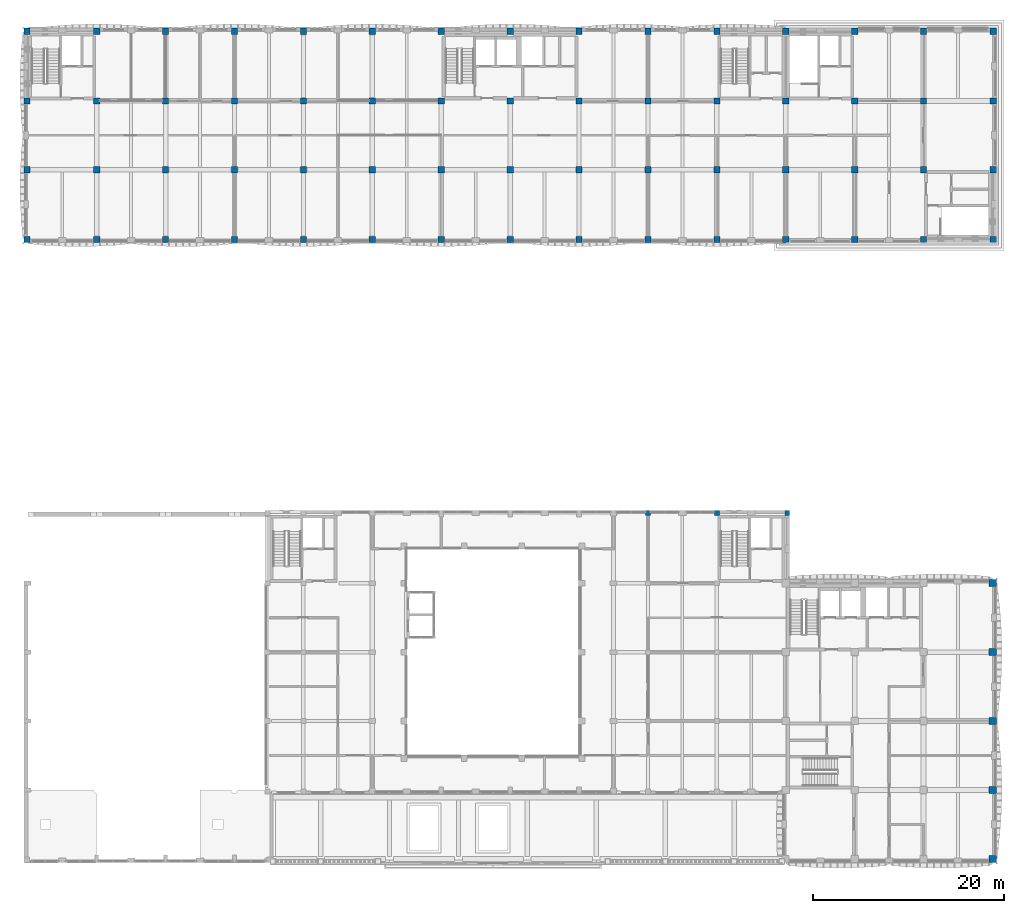
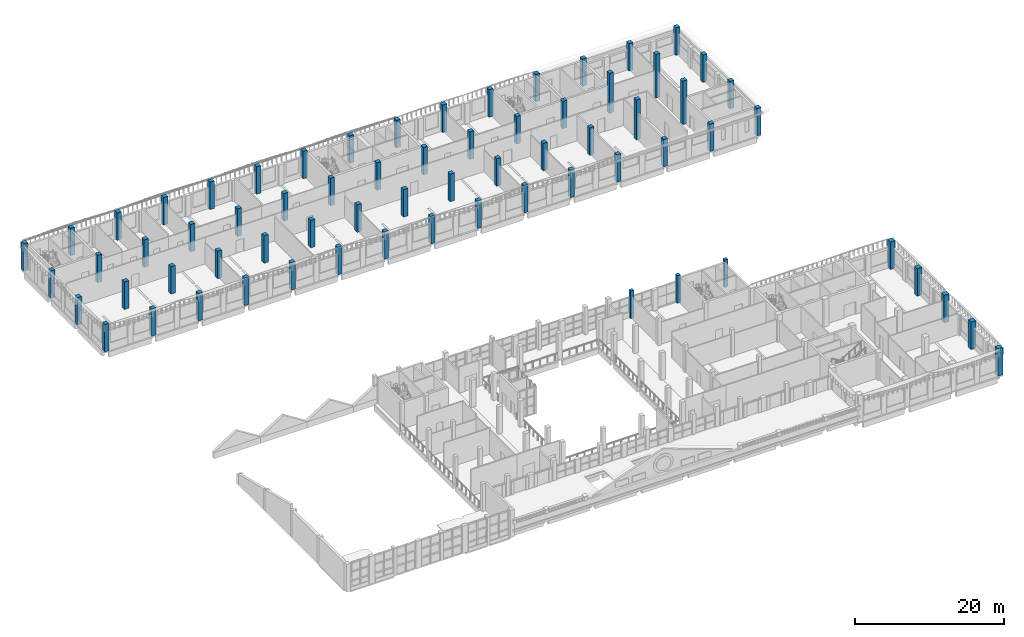
# One storey, part 2 of 58: 68 columns.
"""IFC4 building model written with IfcOpenShell, lengths in metres."""

from ifc_helpers import new_model, si_unit, direction, frame, origin, origin_2d, place, context, subcontext, project, spatial, rectangle, extrude, material, material_profile, profile_set, type_object, element, save


model = new_model("IFC4")

# Units and contexts
model_context = context("Model", 3, precision=1e-05, world=origin(), true_north=direction((0.0, 1.0)))
body_context = subcontext(model_context, "Body", "Model", "MODEL_VIEW")
ifc_project = project(units=[si_unit("LENGTHUNIT", "METRE"), si_unit("AREAUNIT", "SQUARE_METRE"), si_unit("VOLUMEUNIT", "CUBIC_METRE"), si_unit("PLANEANGLEUNIT", "RADIAN"), si_unit("MASSUNIT", "GRAM", prefix="KILO")], contexts=[model_context])

# Site, building, storey
site_placement = place(None, origin())
site = spatial("IfcSite", under=ifc_project, at=site_placement, CompositionType="ELEMENT")
building_placement = place(site_placement, origin())
building = spatial("IfcBuilding", under=site, at=building_placement, Name="Ussher Court Research Institute", CompositionType="ELEMENT")
storey_placement = place(building_placement, frame((0.0, 0.0, 9.89990234375)))
storey = spatial("IfcBuildingStorey", under=building, at=storey_placement, Name="L02", CompositionType="ELEMENT", Elevation=9.89990234375)

# Columns
ifc_material_1 = material(Name="Concrete C35/45", Category="concrete")
ifc_material_profile_1 = material_profile(ifc_material_1, rectangle(XDim=0.5, YDim=0.5, at=origin_2d()), Name="RC 500x500")
ifc_profile_set_1 = profile_set([ifc_material_profile_1], Name="Concrete C35/45")
column_type_1 = type_object("IfcColumnType", Name="RC 500x500 column", PredefinedType="COLUMN", material=ifc_profile_set_1)
for number, where, z_axis, x_axis, name in (
    (1, (67.800048828125, 40.14990234375, 0.0), (0.0, 0.0, 1.0), (1.0, 0.0, 0.0), "C5 V7 L02-15"),
    (2, (75.0, 40.14990234375, 0.0), (0.0, 0.0, 1.0), (1.0, 0.0, 0.0), "C5 V7 L02-20"),
    (3, (82.35009765625, 40.14990234375, 0.0), (0.0, 0.0, 1.0), (1.0, 0.0, 0.0), "C5 V7 L02-21"),
):
    element("IfcColumn", number, at=place(storey_placement, frame(where, z_axis=z_axis, x_axis=x_axis)), inside=storey, type_object=column_type_1, Name=name, PredefinedType="COLUMN", context=body_context, shape_type="SweptSolid", body=[
        extrude(rectangle(XDim=0.5, YDim=0.5, at=origin_2d()), origin(), (0.0, 0.0, 1.0), 4.5),
    ])
ifc_material_2 = material(Name="Concrete C35/45", Category="concrete")
ifc_material_profile_2 = material_profile(ifc_material_2, rectangle(XDim=0.64990234375, YDim=0.64990234375, at=origin_2d()), Name="RC 650x650")
ifc_profile_set_2 = profile_set([ifc_material_profile_2], Name="Concrete C35/45")
column_type_2 = type_object("IfcColumnType", Name="RC 650x650 column", PredefinedType="COLUMN", material=ifc_profile_set_2)
for number, where, z_axis, x_axis, name in (
    (4, (2.925048828125, 68.72509765625, 0.0), (0.0, 0.0, 1.0), (1.0, 0.0, 0.0), "C65 V5 L02-01"),
    (5, (2.925048828125, 76.0, 0.0), (0.0, 0.0, 1.0), (1.0, 0.0, 0.0), "C65 V5 L02-02"),
    (6, (2.925048828125, 83.199951171875, 0.0), (0.0, 0.0, 1.0), (1.0, 0.0, 0.0), "C65 V5 L02-03"),
    (7, (2.925048828125, 90.47509765625, 0.0), (0.0, 0.0, 1.0), (1.0, 0.0, 0.0), "C65 V5 L02-04"),
    (8, (10.199951171875, 68.72509765625, 0.0), (0.0, 0.0, 1.0), (1.0, 0.0, 0.0), "C65 V5 L02-05"),
    (9, (10.199951171875, 76.0, 0.0), (0.0, 0.0, 1.0), (1.0, 0.0, 0.0), "C65 V5 L02-06"),
    (10, (10.199951171875, 83.199951171875, 0.0), (0.0, 0.0, 1.0), (1.0, 0.0, 0.0), "C65 V5 L02-07"),
    (11, (10.199951171875, 90.47509765625, 0.0), (0.0, 0.0, 1.0), (1.0, 0.0, 0.0), "C65 V5 L02-08"),
    (12, (17.39990234375, 68.72509765625, 0.0), (0.0, 0.0, 1.0), (1.0, 0.0, 0.0), "C65 V5 L02-09"),
    (13, (17.39990234375, 76.0, 0.0), (0.0, 0.0, 1.0), (1.0, 0.0, 0.0), "C65 V5 L02-10"),
    (14, (17.39990234375, 83.199951171875, 0.0), (0.0, 0.0, 1.0), (1.0, 0.0, 0.0), "C65 V5 L02-11"),
    (15, (17.39990234375, 90.47509765625, 0.0), (0.0, 0.0, 1.0), (1.0, 0.0, 0.0), "C65 V5 L02-12"),
    (16, (24.60009765625, 68.72509765625, 0.0), (0.0, 0.0, 1.0), (1.0, 0.0, 0.0), "C65 V5 L02-13"),
    (17, (24.60009765625, 76.0, 0.0), (0.0, 0.0, 1.0), (1.0, 0.0, 0.0), "C65 V5 L02-14"),
    (18, (24.60009765625, 83.199951171875, 0.0), (0.0, 0.0, 1.0), (1.0, 0.0, 0.0), "C65 V5 L02-15"),
    (19, (24.60009765625, 90.47509765625, 0.0), (0.0, 0.0, 1.0), (1.0, 0.0, 0.0), "C65 V5 L02-16"),
    (20, (31.800048828125, 68.72509765625, 0.0), (0.0, 0.0, 1.0), (1.0, 0.0, 0.0), "C65 V5 L02-17"),
    (21, (31.800048828125, 76.0, 0.0), (0.0, 0.0, 1.0), (1.0, 0.0, 0.0), "C65 V5 L02-18"),
    (22, (31.800048828125, 83.199951171875, 0.0), (0.0, 0.0, 1.0), (1.0, 0.0, 0.0), "C65 V5 L02-19"),
    (23, (31.800048828125, 90.47509765625, 0.0), (0.0, 0.0, 1.0), (1.0, 0.0, 0.0), "C65 V5 L02-20"),
    (24, (39.0, 68.72509765625, 0.0), (0.0, 0.0, 1.0), (1.0, 0.0, 0.0), "C65 V5 L02-21"),
    (25, (39.0, 76.0, 0.0), (0.0, 0.0, 1.0), (1.0, 0.0, 0.0), "C65 V5 L02-22"),
    (26, (39.0, 83.199951171875, 0.0), (0.0, 0.0, 1.0), (1.0, 0.0, 0.0), "C65 V5 L02-23"),
    (27, (39.0, 90.47509765625, 0.0), (0.0, 0.0, 1.0), (1.0, 0.0, 0.0), "C65 V5 L02-24"),
    (28, (46.199951171875, 68.72509765625, 0.0), (0.0, 0.0, 1.0), (1.0, 0.0, 0.0), "C65 V5 L02-25"),
    (29, (46.199951171875, 76.0, 0.0), (0.0, 0.0, 1.0), (1.0, 0.0, 0.0), "C65 V5 L02-26"),
    (30, (46.199951171875, 83.199951171875, 0.0), (0.0, 0.0, 1.0), (1.0, 0.0, 0.0), "C65 V5 L02-27"),
    (31, (46.199951171875, 90.47509765625, 0.0), (0.0, 0.0, 1.0), (1.0, 0.0, 0.0), "C65 V5 L02-28"),
    (32, (53.39990234375, 68.72509765625, 0.0), (0.0, 0.0, 1.0), (1.0, 0.0, 0.0), "C65 V5 L02-29"),
    (33, (53.39990234375, 76.0, 0.0), (0.0, 0.0, 1.0), (1.0, 0.0, 0.0), "C65 V5 L02-30"),
    (34, (53.39990234375, 83.199951171875, 0.0), (0.0, 0.0, 1.0), (1.0, 0.0, 0.0), "C65 V5 L02-31"),
    (35, (53.39990234375, 90.47509765625, 0.0), (0.0, 0.0, 1.0), (1.0, 0.0, 0.0), "C65 V5 L02-32"),
    (36, (60.60009765625, 68.72509765625, 0.0), (0.0, 0.0, 1.0), (1.0, 0.0, 0.0), "C65 V5 L02-33"),
    (37, (60.60009765625, 76.0, 0.0), (0.0, 0.0, 1.0), (1.0, 0.0, 0.0), "C65 V5 L02-34"),
    (38, (60.60009765625, 83.199951171875, 0.0), (0.0, 0.0, 1.0), (1.0, 0.0, 0.0), "C65 V5 L02-35"),
    (39, (60.60009765625, 90.47509765625, 0.0), (0.0, 0.0, 1.0), (1.0, 0.0, 0.0), "C65 V5 L02-36"),
    (40, (67.800048828125, 68.72509765625, 0.0), (0.0, 0.0, 1.0), (1.0, 0.0, 0.0), "C65 V5 L02-37"),
    (41, (67.800048828125, 76.0, 0.0), (0.0, 0.0, 1.0), (1.0, 0.0, 0.0), "C65 V5 L02-38"),
    (42, (67.800048828125, 83.199951171875, 0.0), (0.0, 0.0, 1.0), (1.0, 0.0, 0.0), "C65 V5 L02-39"),
    (43, (67.800048828125, 90.47509765625, 0.0), (0.0, 0.0, 1.0), (1.0, 0.0, 0.0), "C65 V5 L02-40"),
    (44, (75.0, 68.72509765625, 0.0), (0.0, 0.0, 1.0), (1.0, 0.0, 0.0), "C65 V5 L02-41"),
    (45, (75.0, 76.0, 0.0), (0.0, 0.0, 1.0), (1.0, 0.0, 0.0), "C65 V5 L02-42"),
    (46, (75.0, 83.199951171875, 0.0), (0.0, 0.0, 1.0), (1.0, 0.0, 0.0), "C65 V5 L02-43"),
    (47, (75.0, 90.47509765625, 0.0), (0.0, 0.0, 1.0), (1.0, 0.0, 0.0), "C65 V5 L02-44"),
    (48, (82.199951171875, 68.72509765625, 0.0), (0.0, 0.0, 1.0), (1.0, 0.0, 0.0), "C65 V5 L02-45"),
    (49, (82.199951171875, 76.0, 0.0), (0.0, 0.0, 1.0), (1.0, 0.0, 0.0), "C65 V5 L02-46"),
    (50, (82.199951171875, 83.199951171875, 0.0), (0.0, 0.0, 1.0), (1.0, 0.0, 0.0), "C65 V5 L02-47"),
    (51, (82.199951171875, 90.47509765625, 0.0), (0.0, 0.0, 1.0), (1.0, 0.0, 0.0), "C65 V5 L02-48"),
):
    element("IfcColumn", number, at=place(storey_placement, frame(where, z_axis=z_axis, x_axis=x_axis)), inside=storey, type_object=column_type_2, Name=name, PredefinedType="COLUMN", context=body_context, shape_type="SweptSolid", body=[
        extrude(rectangle(XDim=0.64990234375, YDim=0.64990234375, at=origin_2d()), origin(), (0.0, 0.0, 1.0), 4.5),
    ])
column_1_placement = place(storey_placement, frame((89.39990234375, 68.72509765625, 0.0), z_axis=(0.0, 0.0, 1.0), x_axis=(1.0, 0.0, 0.0)))
element("IfcColumn", 52, at=column_1_placement, inside=storey, type_object=column_type_2, Name="C65 V3 L02-01", PredefinedType="COLUMN", context=body_context, shape_type="SweptSolid", body=[
    extrude(rectangle(XDim=0.64990234375, YDim=0.64990234375, at=origin_2d()), origin(), (0.0, 0.0, 1.0), 4.47216796875),
])
for number, where, z_axis, x_axis, name in (
    (53, (89.39990234375, 76.0, 0.0), (0.0, 0.0, 1.0), (1.0, 0.0, 0.0), "C65 V3 L02-02"),
    (54, (89.39990234375, 83.199951171875, 0.0), (0.0, 0.0, 1.0), (1.0, 0.0, 0.0), "C65 V3 L02-03"),
):
    element("IfcColumn", number, at=place(storey_placement, frame(where, z_axis=z_axis, x_axis=x_axis)), inside=storey, type_object=column_type_2, Name=name, PredefinedType="COLUMN", context=body_context, shape_type="SweptSolid", body=[
        extrude(rectangle(XDim=0.64990234375, YDim=0.64990234375, at=origin_2d()), origin(), (0.0, 0.0, 1.0), 6.533447265625),
    ])
for number, where, z_axis, x_axis, name in (
    (55, (89.39990234375, 90.47509765625, 0.0), (0.0, 0.0, 1.0), (1.0, 0.0, 0.0), "C65 V3 L02-04"),
    (56, (96.60009765625, 68.72509765625, 0.0), (0.0, 0.0, 1.0), (1.0, 0.0, 0.0), "C65 V3 L02-05"),
):
    element("IfcColumn", number, at=place(storey_placement, frame(where, z_axis=z_axis, x_axis=x_axis)), inside=storey, type_object=column_type_2, Name=name, PredefinedType="COLUMN", context=body_context, shape_type="SweptSolid", body=[
        extrude(rectangle(XDim=0.64990234375, YDim=0.64990234375, at=origin_2d()), origin(), (0.0, 0.0, 1.0), 4.47216796875),
    ])
for number, where, z_axis, x_axis, name in (
    (57, (96.60009765625, 76.0, 0.0), (0.0, 0.0, 1.0), (1.0, 0.0, 0.0), "C65 V3 L02-06"),
    (58, (96.60009765625, 83.199951171875, 0.0), (0.0, 0.0, 1.0), (1.0, 0.0, 0.0), "C65 V3 L02-07"),
):
    element("IfcColumn", number, at=place(storey_placement, frame(where, z_axis=z_axis, x_axis=x_axis)), inside=storey, type_object=column_type_2, Name=name, PredefinedType="COLUMN", context=body_context, shape_type="SweptSolid", body=[
        extrude(rectangle(XDim=0.64990234375, YDim=0.64990234375, at=origin_2d()), origin(), (0.0, 0.0, 1.0), 7.110107421875),
    ])
column_2_placement = place(storey_placement, frame((96.60009765625, 90.47509765625, 0.0), z_axis=(0.0, 0.0, 1.0), x_axis=(1.0, 0.0, 0.0)))
element("IfcColumn", 59, at=column_2_placement, inside=storey, type_object=column_type_2, Name="C65 V3 L02-08", PredefinedType="COLUMN", context=body_context, shape_type="SweptSolid", body=[
    extrude(rectangle(XDim=0.64990234375, YDim=0.64990234375, at=origin_2d()), origin(), (0.0, 0.0, 1.0), 4.47216796875),
])
column_3_placement = place(storey_placement, frame((103.875, 68.72509765625, 0.0), z_axis=(0.0, 0.0, 1.0), x_axis=(1.0, 0.0, 0.0)))
element("IfcColumn", 60, at=column_3_placement, inside=storey, type_object=column_type_2, Name="C65 V3 L02-09", PredefinedType="COLUMN", context=body_context, shape_type="SweptSolid", body=[
    extrude(rectangle(XDim=0.64990234375, YDim=0.64990234375, at=origin_2d()), origin(), (0.0, 0.0, 1.0), 4.489501953125),
])
for number, where, z_axis, x_axis, name in (
    (61, (103.875, 76.0, 0.0), (0.0, 0.0, 1.0), (1.0, 0.0, 0.0), "C65 V3 L02-10"),
    (62, (103.875, 83.199951171875, 0.0), (0.0, 0.0, 1.0), (1.0, 0.0, 0.0), "C65 V3 L02-11"),
):
    element("IfcColumn", number, at=place(storey_placement, frame(where, z_axis=z_axis, x_axis=x_axis)), inside=storey, type_object=column_type_2, Name=name, PredefinedType="COLUMN", context=body_context, shape_type="SweptSolid", body=[
        extrude(rectangle(XDim=0.64990234375, YDim=0.64990234375, at=origin_2d()), origin(), (0.0, 0.0, 1.0), 4.495361328125),
    ])
column_4_placement = place(storey_placement, frame((103.875, 90.47509765625, 0.0), z_axis=(0.0, 0.0, 1.0), x_axis=(1.0, 0.0, 0.0)))
element("IfcColumn", 63, at=column_4_placement, inside=storey, type_object=column_type_2, Name="C65 V3 L02-12", PredefinedType="COLUMN", context=body_context, shape_type="SweptSolid", body=[
    extrude(rectangle(XDim=0.64990234375, YDim=0.64990234375, at=origin_2d()), origin(), (0.0, 0.0, 1.0), 4.489501953125),
])
ifc_material_3 = material(Name="Concrete C35/45", Category="concrete")
ifc_material_profile_3 = material_profile(ifc_material_3, rectangle(XDim=0.75, YDim=0.75, at=origin_2d()), Name="RC 750x750")
ifc_profile_set_3 = profile_set([ifc_material_profile_3], Name="Concrete C35/45")
column_type_3 = type_object("IfcColumnType", Name="RC 750x750 column", PredefinedType="COLUMN", material=ifc_profile_set_3)
for number, where, z_axis, x_axis, name in (
    (64, (103.824951171875, 3.97509765625, 0.0), (0.0, 0.0, 1.0), (1.0, 0.0, 0.0), "C75 V4 L02-16"),
    (65, (103.824951171875, 11.199951171875, 0.0), (0.0, 0.0, 1.0), (1.0, 0.0, 0.0), "C75 V4 L02-17"),
    (66, (103.824951171875, 18.39990234375, 0.0), (0.0, 0.0, 1.0), (1.0, 0.0, 0.0), "C75 V4 L02-18"),
    (67, (103.824951171875, 25.60009765625, 0.0), (0.0, 0.0, 1.0), (1.0, 0.0, 0.0), "C75 V4 L02-19"),
    (68, (103.824951171875, 32.824951171875, 0.0), (0.0, 0.0, 1.0), (1.0, 0.0, 0.0), "C75 V4 L02-20"),
):
    element("IfcColumn", number, at=place(storey_placement, frame(where, z_axis=z_axis, x_axis=x_axis)), inside=storey, type_object=column_type_3, Name=name, PredefinedType="COLUMN", context=body_context, shape_type="SweptSolid", body=[
        extrude(rectangle(XDim=0.75, YDim=0.75, at=origin_2d()), origin(), (0.0, 0.0, 1.0), 4.5),
    ])

save(model, "model.ifc")
